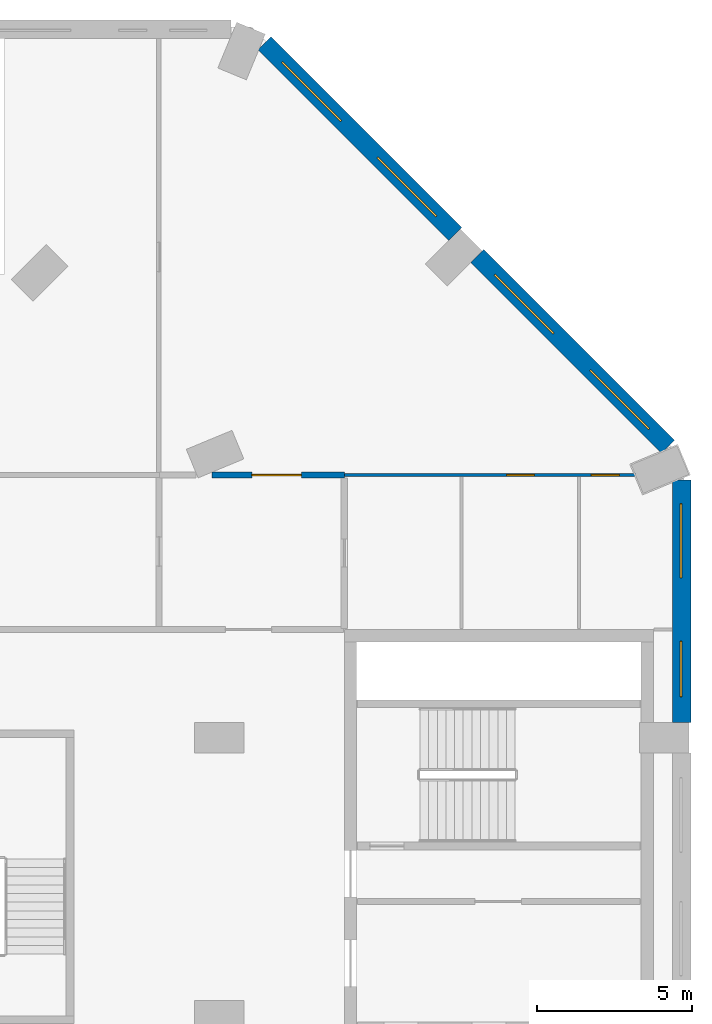
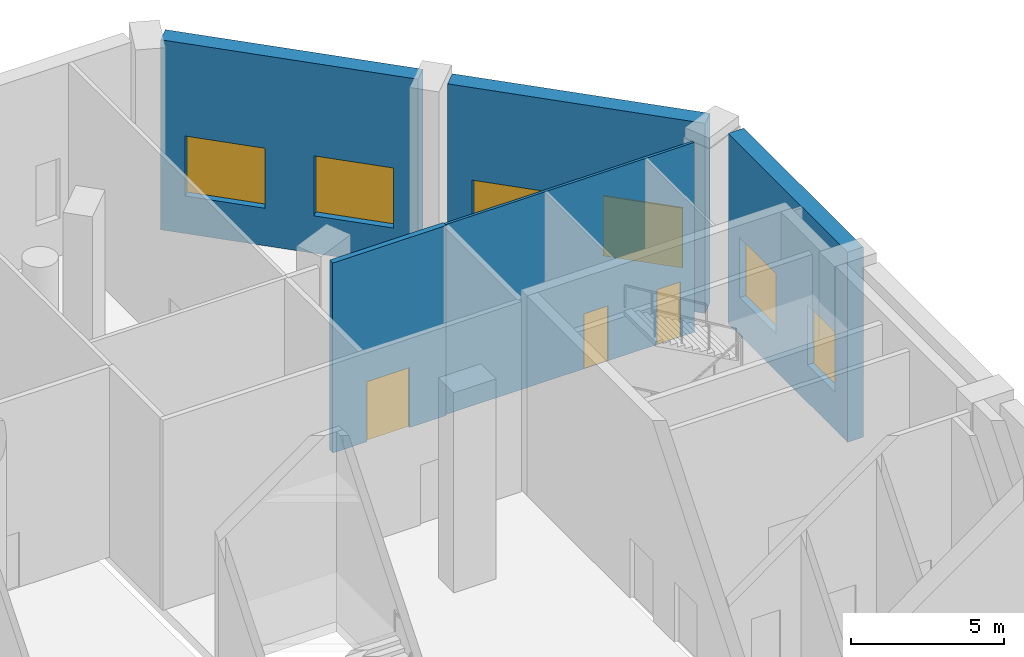
# One storey, part 9 of 18: 6 windows, 5 walls, 3 doors, 9 openings.
"""IFC4 building model written with IfcOpenShell, lengths in metres."""

import ifcopenshell
import ifcopenshell.guid

model = None  # the IFC model being written
_history = None  # IfcOwnerHistory: only IFC2X3 demands one
_inside = {}  # id of a spatial element -> (the spatial element, [elements in it])
_under = {}  # id of a project, library or spatial element -> (it, [spatial elements below it])
_declared = {}  # id of a project -> (the project, [libraries it declares])
_typed = {}  # id of a type object -> (the type object, [elements of that type])
_made_of = {}  # id of a material, layer set ... -> (it, [elements and type objects made of it])


def new_model(schema):
    """Start an empty IFC model of exactly this schema.

    Asked for "IFC4X3", IfcOpenShell would pick the latest addendum, in which some entities
    have other attributes; the version numbers below select the first issue.
    IFC2X3 requires an IfcOwnerHistory on every rooted entity: one is made here for all.
    """
    global model, _history
    if schema == "IFC4X3":
        model = ifcopenshell.file(schema_version=(4, 3, 0, 0))
    else:
        model = ifcopenshell.file(schema=schema)
    _inside.clear()
    _under.clear()
    _declared.clear()
    _typed.clear()
    _made_of.clear()
    _history = None
    if model.schema == "IFC2X3":
        org = make("IfcOrganization", Name="unknown")
        user = make(
            "IfcPersonAndOrganization",
            ThePerson=make("IfcPerson", FamilyName="unknown"),
            TheOrganization=org,
        )
        app = make(
            "IfcApplication",
            ApplicationDeveloper=org,
            Version="unknown",
            ApplicationFullName="unknown",
            ApplicationIdentifier="unknown",
        )
        _history = make(
            "IfcOwnerHistory",
            OwningUser=user,
            OwningApplication=app,
            ChangeAction="ADDED",
            CreationDate=0,
        )
    return model


def make(cls, **values):
    """One entity of the class cls with the attributes given. An attribute that is None is left unset."""
    return model.create_entity(
        cls, **{name: value for name, value in values.items() if value is not None}
    )


def rooted(cls, **values):
    """An entity with a GlobalId (a new one), such as an element, a storey or a relation."""
    return make(cls, GlobalId=ifcopenshell.guid.new(), OwnerHistory=_history, **values)


def si_unit(unit_type, name, prefix=None):
    """IfcSIUnit, for example si_unit("LENGTHUNIT", "METRE", prefix="MILLI")."""
    return make("IfcSIUnit", UnitType=unit_type, Prefix=prefix, Name=name)


def assignment(units):
    """IfcUnitAssignment: the units of a project."""
    return None if units is None else make("IfcUnitAssignment", Units=units)


def point(xyz):
    """IfcCartesianPoint."""
    return None if xyz is None else make("IfcCartesianPoint", Coordinates=xyz)


def direction(xyz):
    """IfcDirection."""
    return None if xyz is None else make("IfcDirection", DirectionRatios=xyz)


def frame(location, z_axis=None, x_axis=None):
    """IfcAxis2Placement3D, a coordinate frame: its origin and axes. An axis left out is left unset."""
    return make(
        "IfcAxis2Placement3D",
        Location=point(location),
        Axis=direction(z_axis),
        RefDirection=direction(x_axis),
    )


def frame_2d(location, x_axis=None):
    """IfcAxis2Placement2D, a coordinate frame in the plane: its origin and x axis."""
    return make(
        "IfcAxis2Placement2D", Location=point(location), RefDirection=direction(x_axis)
    )


def origin():
    """The frame at (0, 0, 0) with its axes left unset."""
    return frame((0.0, 0.0, 0.0))


def place(relative_to, where):
    """IfcLocalPlacement: puts the frame where relative to a parent placement (None: the world)."""
    return make(
        "IfcLocalPlacement", PlacementRelTo=relative_to, RelativePlacement=where
    )


def context(
    kind, dimensions, precision=None, world=None, true_north=None, identifier=None
):
    """IfcGeometricRepresentationContext, for example the 3D "Model" context."""
    return make(
        "IfcGeometricRepresentationContext",
        ContextIdentifier=identifier,
        ContextType=kind,
        CoordinateSpaceDimension=dimensions,
        Precision=precision,
        WorldCoordinateSystem=world,
        TrueNorth=true_north,
    )


def subcontext(parent, identifier, kind, view, scale=None):
    """IfcGeometricRepresentationSubContext, for example "Body" below "Model"."""
    return make(
        "IfcGeometricRepresentationSubContext",
        ContextIdentifier=identifier,
        ContextType=kind,
        ParentContext=parent,
        TargetScale=scale,
        TargetView=view,
    )


def project(units=None, contexts=None):
    """IfcProject with its units and contexts."""
    return rooted(
        "IfcProject",
        Name="project",
        RepresentationContexts=contexts,
        UnitsInContext=assignment(units),
    )


def spatial(cls, under=None, at=None, **own):
    """A site, building, storey or space (cls), placed at a placement, below another one or the project."""
    s = rooted(cls, ObjectPlacement=at, **own)
    if under is not None:
        _under.setdefault(under.id(), (under, []))[1].append(s)
    return s


def profile(cls, at=None, kind="AREA", **sizes):
    """A parametric profile (cls). Its sizes go by their IFC names, for example OverallWidth=200.0."""
    return make(cls, ProfileType=kind, Position=at, **sizes)


def rectangle(**sizes):
    """IfcRectangleProfileDef."""
    return profile("IfcRectangleProfileDef", **sizes)


def extrude(swept, where, along, depth):
    """IfcExtrudedAreaSolid: the profile swept, set in the frame where, extruded along a direction by depth."""
    return make(
        "IfcExtrudedAreaSolid",
        SweptArea=swept,
        Position=where,
        ExtrudedDirection=direction(along),
        Depth=depth,
    )


def shape(context_of_items, identifier, shape_type, items):
    """IfcShapeRepresentation: the items that make up one representation, for example the "Body"."""
    return make(
        "IfcShapeRepresentation",
        ContextOfItems=context_of_items,
        RepresentationIdentifier=identifier,
        RepresentationType=shape_type,
        Items=items,
    )


def material(Name=None, Category=None):
    """IfcMaterial."""
    return make("IfcMaterial", Name=Name, Category=Category)


def layer(
    of_material, thickness, ventilated=None, Name=None, Category=None, Priority=None
):
    """IfcMaterialLayer: one layer of a wall or slab, of a material (None: an air gap)."""
    return make(
        "IfcMaterialLayer",
        Material=of_material,
        LayerThickness=thickness,
        IsVentilated=ventilated,
        Name=Name,
        Category=Category,
        Priority=Priority,
    )


def layer_set(layers, Name=None):
    """IfcMaterialLayerSet."""
    return make("IfcMaterialLayerSet", MaterialLayers=layers, LayerSetName=Name)


def made_of(thing, what):
    """Note that an element or type object is made of a material, layer set ...; save() writes the relation."""
    if what is not None:
        _made_of.setdefault(what.id(), (what, []))[1].append(thing)
    return thing


def type_object(cls, material=None, **own):
    """A type object (cls), such as IfcWallType, which elements share."""
    return made_of(rooted(cls, **own), material)


def element(
    cls,
    number,
    at=None,
    inside=None,
    cuts=None,
    type_object=None,
    material=None,
    context=None,
    identifier="Body",
    shape_type=None,
    held_by="IfcProductDefinitionShape",
    body=None,
    shapes=None,
    **own,
):
    """One element of the class cls, such as IfcWall. Its Tag is "e" and its number.

    at: its placement. inside: the storey or other place that contains it. cuts: it is an
    opening in that element (IfcRelVoidsElement). A single representation is given by context,
    identifier, shape_type and body (its items); several are given by shapes. held_by: the class
    of the entity that holds the representations. save() writes the other relations.
    """
    e = rooted(cls, Tag="e%d" % number, ObjectPlacement=at, **own)
    if body is not None:
        shapes = [shape(context, identifier, shape_type, body)]
    if shapes is not None:
        e.Representation = make(held_by, Representations=shapes)
    if inside is not None:
        _inside.setdefault(inside.id(), (inside, []))[1].append(e)
    if cuts is not None:
        rooted(
            "IfcRelVoidsElement", RelatingBuildingElement=cuts, RelatedOpeningElement=e
        )
    if type_object is not None:
        _typed.setdefault(type_object.id(), (type_object, []))[1].append(e)
    return made_of(e, material)


def fill(opening, filler):
    """IfcRelFillsElement: the door or window that sits in an opening."""
    return rooted(
        "IfcRelFillsElement",
        RelatingOpeningElement=opening,
        RelatedBuildingElement=filler,
    )


def aggregate(whole, parts):
    """IfcRelAggregates: a whole, such as a stair, and the parts it consists of."""
    return rooted("IfcRelAggregates", RelatingObject=whole, RelatedObjects=parts)


def save(model, path):
    """Write the relations noted so far, then the file.

    IfcRelAggregates (storeys below a building ...), IfcRelContainedInSpatialStructure (elements
    in a storey), IfcRelDefinesByType, IfcRelAssociatesMaterial and IfcRelDeclares: one each for
    every whole, place, type object, material and project.
    """
    for whole, parts in _under.values():
        aggregate(whole, parts)
    for where, things in _inside.values():
        rooted(
            "IfcRelContainedInSpatialStructure",
            RelatedElements=things,
            RelatingStructure=where,
        )
    for kind, things in _typed.values():
        rooted("IfcRelDefinesByType", RelatedObjects=things, RelatingType=kind)
    for what, things in _made_of.values():
        rooted("IfcRelAssociatesMaterial", RelatedObjects=things, RelatingMaterial=what)
    for by, libraries in _declared.values():
        rooted("IfcRelDeclares", RelatingContext=by, RelatedDefinitions=libraries)
    model.write(path)


model = new_model("IFC4")

# Units and contexts
model_context = context("Model", 3, precision=1e-05, world=origin(), true_north=direction((0.0, 1.0)))
body_context = subcontext(model_context, "Body", "Model", "MODEL_VIEW")
ifc_project = project(units=[si_unit("LENGTHUNIT", "METRE"), si_unit("AREAUNIT", "SQUARE_METRE"), si_unit("VOLUMEUNIT", "CUBIC_METRE"), si_unit("PLANEANGLEUNIT", "RADIAN"), si_unit("MASSUNIT", "GRAM", prefix="KILO")], contexts=[model_context])

# Site, building, storey
site_placement = place(None, origin())
site = spatial("IfcSite", under=ifc_project, at=site_placement, CompositionType="ELEMENT")
building_placement = place(site_placement, origin())
building = spatial("IfcBuilding", under=site, at=building_placement, Name="Cypress Arch Tower", CompositionType="ELEMENT")
storey_placement = place(building_placement, frame((0.0, 0.0, 36.0)))
storey = spatial("IfcBuildingStorey", under=building, at=storey_placement, Name="L04", CompositionType="ELEMENT", Elevation=36.0)

# Wall, openings, windows
ifc_material_1 = material(Name="Brick (red buff blend) on blockwork backing", Category="masonry")
ifc_layer_1 = layer(ifc_material_1, 0.60009765625)
ifc_layer_set_1 = layer_set([ifc_layer_1], Name="Brick base wall BW600")
wall_type_1 = type_object("IfcWallType", Name="Brick base wall BW600", PredefinedType="ELEMENTEDWALL", material=ifc_layer_set_1)
wall_1_placement = place(storey_placement, frame((38.925048828125, 5.0, 0.0), z_axis=(0.0, 0.0, 1.0), x_axis=(0.0, 1.0, 0.0)))
wall_1 = element("IfcWall", 1, at=wall_1_placement, inside=storey, type_object=wall_type_1, Name="Brick wall L04 P01.4", PredefinedType="ELEMENTEDWALL", context=body_context, shape_type="SweptSolid", body=[
    extrude(rectangle(XDim=7.83447265625, YDim=0.60009765625, at=frame_2d((3.917236328125, 0.0))), origin(), (0.0, 0.0, 1.0), 7.60009765625),
])
opening_1_placement = place(wall_1_placement, frame((4.676025390625, 0.0, 1.5)))
opening_1 = element("IfcOpeningElement", 2, at=opening_1_placement, cuts=wall_1, Name="Opening W240P", PredefinedType="OPENING", context=body_context, shape_type="SweptSolid", body=[
    extrude(rectangle(XDim=2.39990234375, YDim=2.39990234375, at=frame_2d((1.199951171875, 1.199951171875))), frame((0.0, 0.31005859375, 0.0), z_axis=(0.0, -1.0, 0.0), x_axis=(1.0, 0.0, 0.0)), (0.0, 0.0, 1.0), 0.6201171875),
])
opening_2_placement = place(wall_1_placement, frame((0.829345703125, 0.0, 1.5)))
opening_2 = element("IfcOpeningElement", 3, at=opening_2_placement, cuts=wall_1, Name="Opening W180P", PredefinedType="OPENING", context=body_context, shape_type="SweptSolid", body=[
    extrude(rectangle(XDim=1.800048828125, YDim=2.39990234375, at=frame_2d((0.89990234375, 1.199951171875))), frame((0.0, 0.31005859375, 0.0), z_axis=(0.0, -1.0, 0.0), x_axis=(1.0, 0.0, 0.0)), (0.0, 0.0, 1.0), 0.6201171875),
])
ifc_material_2 = material(Name="Anodised aluminium, bronze finish, clear low-emissivity double glazing", Category="aluminium")
window_type_1 = type_object("IfcWindowType", Name="Window Podium 1800x2400", PartitioningType="SINGLE_PANEL", PredefinedType="WINDOW", material=ifc_material_2)
window_1_placement = place(opening_2_placement, origin())
window_1 = element("IfcWindow", 4, at=window_1_placement, inside=storey, type_object=window_type_1, Name="Window L04 P01.4.1", OverallHeight=2.39990234375, OverallWidth=1.800048828125, PartitioningType="SINGLE_PANEL", PredefinedType="WINDOW", context=body_context, shape_type="SweptSolid", body=[
    extrude(rectangle(XDim=1.800048828125, YDim=2.39990234375, at=frame_2d((0.89990234375, 1.199951171875))), frame((0.0, 0.06005859375, 0.0), z_axis=(0.0, -1.0, 0.0), x_axis=(1.0, 0.0, 0.0)), (0.0, 0.0, 1.0), 0.06005859375),
])
fill(opening_2, window_1)
ifc_material_3 = material(Name="Anodised aluminium, bronze finish, clear low-emissivity double glazing", Category="aluminium")
window_type_2 = type_object("IfcWindowType", Name="Window Podium 2400x2400", PartitioningType="SINGLE_PANEL", PredefinedType="WINDOW", material=ifc_material_3)
window_2_placement = place(opening_1_placement, origin())
window_2 = element("IfcWindow", 5, at=window_2_placement, inside=storey, type_object=window_type_2, Name="Window L04 P01.4.2", OverallHeight=2.39990234375, OverallWidth=2.39990234375, PartitioningType="SINGLE_PANEL", PredefinedType="WINDOW", context=body_context, shape_type="SweptSolid", body=[
    extrude(rectangle(XDim=2.39990234375, YDim=2.39990234375, at=frame_2d((1.199951171875, 1.199951171875))), frame((0.0, 0.06005859375, 0.0), z_axis=(0.0, -1.0, 0.0), x_axis=(1.0, 0.0, 0.0)), (0.0, 0.0, 1.0), 0.06005859375),
])
fill(opening_1, window_2)

wall_2_placement = place(storey_placement, frame((38.476318359375, 13.91748046875, 0.0), z_axis=(0.0, 0.0, 1.0), x_axis=(-0.707092804673, 0.707120757424, 0.0)))
wall_2 = element("IfcWall", 6, at=wall_2_placement, inside=storey, type_object=wall_type_1, Name="Brick wall L04 P02.0", PredefinedType="ELEMENTEDWALL", context=body_context, shape_type="SweptSolid", body=[
    extrude(rectangle(XDim=8.734130859375, YDim=0.60009765625, at=frame_2d((4.3671875, 0.0))), origin(), (0.0, 0.0, 1.0), 7.60009765625),
])
opening_3_placement = place(wall_2_placement, frame((0.83349609375, 0.0, 1.5)))
opening_3 = element("IfcOpeningElement", 7, at=opening_3_placement, cuts=wall_2, Name="Opening W270P", PredefinedType="OPENING", context=body_context, shape_type="SweptSolid", body=[
    extrude(rectangle(XDim=2.699951171875, YDim=2.39990234375, at=frame_2d((1.35009765625, 1.199951171875))), frame((0.0, 0.31005859375, 0.0), z_axis=(0.0, -1.0, 0.0), x_axis=(1.0, 0.0, 0.0)), (0.0, 0.0, 1.0), 0.6201171875),
])
opening_4_placement = place(wall_2_placement, frame((5.200439453125, 0.0, 1.5)))
opening_4 = element("IfcOpeningElement", 8, at=opening_4_placement, cuts=wall_2, Name="Opening W270P", PredefinedType="OPENING", context=body_context, shape_type="SweptSolid", body=[
    extrude(rectangle(XDim=2.699951171875, YDim=2.39990234375, at=frame_2d((1.35009765625, 1.199951171875))), frame((0.0, 0.31005859375, 0.0), z_axis=(0.0, -1.0, 0.0), x_axis=(1.0, 0.0, 0.0)), (0.0, 0.0, 1.0), 0.6201171875),
])
ifc_material_4 = material(Name="Anodised aluminium, bronze finish, clear low-emissivity double glazing", Category="aluminium")
window_type_3 = type_object("IfcWindowType", Name="Window Podium 2700x2400", PartitioningType="SINGLE_PANEL", PredefinedType="WINDOW", material=ifc_material_4)
window_3_placement = place(opening_3_placement, origin())
window_3 = element("IfcWindow", 9, at=window_3_placement, inside=storey, type_object=window_type_3, Name="Window L04 P02.0.1", OverallHeight=2.39990234375, OverallWidth=2.699951171875, PartitioningType="SINGLE_PANEL", PredefinedType="WINDOW", context=body_context, shape_type="SweptSolid", body=[
    extrude(rectangle(XDim=2.699951171875, YDim=2.39990234375, at=frame_2d((1.35009765625, 1.199951171875))), frame((0.0, 0.06005859375, 0.0), z_axis=(0.0, -1.0, 0.0), x_axis=(1.0, 0.0, 0.0)), (0.0, 0.0, 1.0), 0.06005859375),
])
fill(opening_3, window_3)
window_4_placement = place(opening_4_placement, origin())
window_4 = element("IfcWindow", 10, at=window_4_placement, inside=storey, type_object=window_type_3, Name="Window L04 P02.0.2", OverallHeight=2.39990234375, OverallWidth=2.699951171875, PartitioningType="SINGLE_PANEL", PredefinedType="WINDOW", context=body_context, shape_type="SweptSolid", body=[
    extrude(rectangle(XDim=2.699951171875, YDim=2.39990234375, at=frame_2d((1.35009765625, 1.199951171875))), frame((0.0, 0.06005859375, 0.0), z_axis=(0.0, -1.0, 0.0), x_axis=(1.0, 0.0, 0.0)), (0.0, 0.0, 1.0), 0.06005859375),
])
fill(opening_4, window_4)

wall_3_placement = place(storey_placement, frame((31.593505859375, 20.800537109375, 0.0), z_axis=(0.0, 0.0, 1.0), x_axis=(-0.707120757424, 0.707092804673, 0.0)))
wall_3 = element("IfcWall", 11, at=wall_3_placement, inside=storey, type_object=wall_type_1, Name="Brick wall L04 P02.1", PredefinedType="ELEMENTEDWALL", context=body_context, shape_type="SweptSolid", body=[
    extrude(rectangle(XDim=8.734130859375, YDim=0.60009765625, at=frame_2d((4.3671875, 0.0))), origin(), (0.0, 0.0, 1.0), 7.60009765625),
])
opening_5_placement = place(wall_3_placement, frame((0.83349609375, 0.0, 1.5)))
opening_5 = element("IfcOpeningElement", 12, at=opening_5_placement, cuts=wall_3, Name="Opening W270P", PredefinedType="OPENING", context=body_context, shape_type="SweptSolid", body=[
    extrude(rectangle(XDim=2.699951171875, YDim=2.39990234375, at=frame_2d((1.35009765625, 1.199951171875))), frame((0.0, 0.31005859375, 0.0), z_axis=(0.0, -1.0, 0.0), x_axis=(1.0, 0.0, 0.0)), (0.0, 0.0, 1.0), 0.6201171875),
])
opening_6_placement = place(wall_3_placement, frame((5.200439453125, 0.0, 1.5)))
opening_6 = element("IfcOpeningElement", 13, at=opening_6_placement, cuts=wall_3, Name="Opening W270P", PredefinedType="OPENING", context=body_context, shape_type="SweptSolid", body=[
    extrude(rectangle(XDim=2.699951171875, YDim=2.39990234375, at=frame_2d((1.35009765625, 1.199951171875))), frame((0.0, 0.31005859375, 0.0), z_axis=(0.0, -1.0, 0.0), x_axis=(1.0, 0.0, 0.0)), (0.0, 0.0, 1.0), 0.6201171875),
])
window_5_placement = place(opening_5_placement, origin())
window_5 = element("IfcWindow", 14, at=window_5_placement, inside=storey, type_object=window_type_3, Name="Window L04 P02.1.1", OverallHeight=2.39990234375, OverallWidth=2.699951171875, PartitioningType="SINGLE_PANEL", PredefinedType="WINDOW", context=body_context, shape_type="SweptSolid", body=[
    extrude(rectangle(XDim=2.699951171875, YDim=2.39990234375, at=frame_2d((1.35009765625, 1.199951171875))), frame((0.0, 0.06005859375, 0.0), z_axis=(0.0, -1.0, 0.0), x_axis=(1.0, 0.0, 0.0)), (0.0, 0.0, 1.0), 0.06005859375),
])
fill(opening_5, window_5)
window_6_placement = place(opening_6_placement, origin())
window_6 = element("IfcWindow", 15, at=window_6_placement, inside=storey, type_object=window_type_3, Name="Window L04 P02.1.2", OverallHeight=2.39990234375, OverallWidth=2.699951171875, PartitioningType="SINGLE_PANEL", PredefinedType="WINDOW", context=body_context, shape_type="SweptSolid", body=[
    extrude(rectangle(XDim=2.699951171875, YDim=2.39990234375, at=frame_2d((1.35009765625, 1.199951171875))), frame((0.0, 0.06005859375, 0.0), z_axis=(0.0, -1.0, 0.0), x_axis=(1.0, 0.0, 0.0)), (0.0, 0.0, 1.0), 0.06005859375),
])
fill(opening_6, window_6)

# Wall, opening, door
ifc_material_5 = material(Name="Concrete blockwork, plastered, rated", Category="masonry")
ifc_layer_2 = layer(ifc_material_5, 0.199951171875)
ifc_layer_set_2 = layer_set([ifc_layer_2], Name="Corridor wall FW200")
wall_type_2 = type_object("IfcWallType", Name="Corridor wall FW200", PredefinedType="PARTITIONING", material=ifc_layer_set_2)
wall_4_placement = place(storey_placement, frame((23.71240234375, 13.0, 0.0), z_axis=(0.0, 0.0, 1.0), x_axis=(1.0, 0.0, 0.0)))
wall_4 = element("IfcWall", 16, at=wall_4_placement, inside=storey, type_object=wall_type_2, Name="Corridor wall", PredefinedType="PARTITIONING", context=body_context, shape_type="SweptSolid", body=[
    extrude(rectangle(XDim=4.28759765625, YDim=0.199951171875, at=frame_2d((2.143798828125, 0.0))), origin(), (0.0, 0.0, 1.0), 7.597900390625),
])
opening_7_placement = place(wall_4_placement, frame((1.300048828125, 0.0, 0.0)))
opening_7 = element("IfcOpeningElement", 17, at=opening_7_placement, cuts=wall_4, Name="Opening D10", PredefinedType="OPENING", context=body_context, shape_type="SweptSolid", body=[
    extrude(rectangle(XDim=1.60009765625, YDim=2.39990234375, at=frame_2d((0.800048828125, 1.199951171875))), frame((0.0, 0.10986328125, 0.0), z_axis=(0.0, -1.0, 0.0), x_axis=(1.0, 0.0, 0.0)), (0.0, 0.0, 1.0), 0.219970703125),
])
ifc_material_6 = material(Name="Black aluminium glazed door", Category="aluminium")
door_type_1 = type_object("IfcDoorType", Name="Amenity door D10 1600x2400", OperationType="DOUBLE_DOOR_SINGLE_SWING", PredefinedType="DOOR", material=ifc_material_6)
door_1_placement = place(opening_7_placement, origin())
door_1 = element("IfcDoor", 18, at=door_1_placement, inside=storey, type_object=door_type_1, Name="Amenity door", OperationType="DOUBLE_DOOR_SINGLE_SWING", OverallHeight=2.39990234375, OverallWidth=1.60009765625, PredefinedType="DOOR", context=body_context, shape_type="SweptSolid", body=[
    extrude(rectangle(XDim=1.60009765625, YDim=2.39990234375, at=frame_2d((0.800048828125, 1.199951171875))), frame((0.0, 0.02490234375, 0.0), z_axis=(0.0, -1.0, 0.0), x_axis=(1.0, 0.0, 0.0)), (0.0, 0.0, 1.0), 0.050048828125),
])
fill(opening_7, door_1)

# Wall, openings, doors
ifc_material_7 = material(Name="Moisture resistant board on steel studs, tiled", Category="steel")
ifc_layer_3 = layer(ifc_material_7, 0.10009765625)
ifc_layer_set_3 = layer_set([ifc_layer_3], Name="Wet wall PW100")
wall_type_3 = type_object("IfcWallType", Name="Wet wall PW100", PredefinedType="PARTITIONING", material=ifc_layer_set_3)
wall_5_placement = place(storey_placement, frame((28.0, 13.0, 0.0), z_axis=(0.0, 0.0, 1.0), x_axis=(1.0, 0.0, 0.0)))
wall_5 = element("IfcWall", 19, at=wall_5_placement, inside=storey, type_object=wall_type_3, Name="Wet wall", PredefinedType="PARTITIONING", context=body_context, shape_type="SweptSolid", body=[
    extrude(rectangle(XDim=9.416748046875, YDim=0.10009765625, at=frame_2d((4.70849609375, 0.0))), origin(), (0.0, 0.0, 1.0), 7.597900390625),
])
opening_8_placement = place(wall_5_placement, frame((5.25, 0.0, 0.0)))
opening_8 = element("IfcOpeningElement", 20, at=opening_8_placement, cuts=wall_5, Name="Opening D03", PredefinedType="OPENING", context=body_context, shape_type="SweptSolid", body=[
    extrude(rectangle(XDim=0.89990234375, YDim=2.199951171875, at=frame_2d((0.449951171875, 1.10009765625))), frame((0.0, 0.06005859375, 0.0), z_axis=(0.0, -1.0, 0.0), x_axis=(1.0, 0.0, 0.0)), (0.0, 0.0, 1.0), 0.1201171875),
])
opening_9_placement = place(wall_5_placement, frame((8.0, 0.0, 0.0)))
opening_9 = element("IfcOpeningElement", 21, at=opening_9_placement, cuts=wall_5, Name="Opening D03", PredefinedType="OPENING", context=body_context, shape_type="SweptSolid", body=[
    extrude(rectangle(XDim=0.89990234375, YDim=2.199951171875, at=frame_2d((0.449951171875, 1.10009765625))), frame((0.0, 0.06005859375, 0.0), z_axis=(0.0, -1.0, 0.0), x_axis=(1.0, 0.0, 0.0)), (0.0, 0.0, 1.0), 0.1201171875),
])
ifc_material_8 = material(Name="Timber flush door, moisture resistant", Category="wood")
door_type_2 = type_object("IfcDoorType", Name="Bathroom door D03 900x2200", OperationType="SINGLE_SWING_LEFT", PredefinedType="DOOR", material=ifc_material_8)
door_2_placement = place(opening_8_placement, origin())
door_2 = element("IfcDoor", 22, at=door_2_placement, inside=storey, type_object=door_type_2, Name="Bathroom door", OperationType="SINGLE_SWING_LEFT", OverallHeight=2.199951171875, OverallWidth=0.89990234375, PredefinedType="DOOR", context=body_context, shape_type="SweptSolid", body=[
    extrude(rectangle(XDim=0.89990234375, YDim=2.199951171875, at=frame_2d((0.449951171875, 1.10009765625))), frame((0.0, 0.02490234375, 0.0), z_axis=(0.0, -1.0, 0.0), x_axis=(1.0, 0.0, 0.0)), (0.0, 0.0, 1.0), 0.050048828125),
])
fill(opening_8, door_2)
door_3_placement = place(opening_9_placement, origin())
door_3 = element("IfcDoor", 23, at=door_3_placement, inside=storey, type_object=door_type_2, Name="Bathroom door", OperationType="SINGLE_SWING_RIGHT", OverallHeight=2.199951171875, OverallWidth=0.89990234375, PredefinedType="DOOR", context=body_context, shape_type="SweptSolid", body=[
    extrude(rectangle(XDim=0.89990234375, YDim=2.199951171875, at=frame_2d((0.449951171875, 1.10009765625))), frame((0.0, 0.02490234375, 0.0), z_axis=(0.0, -1.0, 0.0), x_axis=(1.0, 0.0, 0.0)), (0.0, 0.0, 1.0), 0.050048828125),
])
fill(opening_9, door_3)

save(model, "model.ifc")
